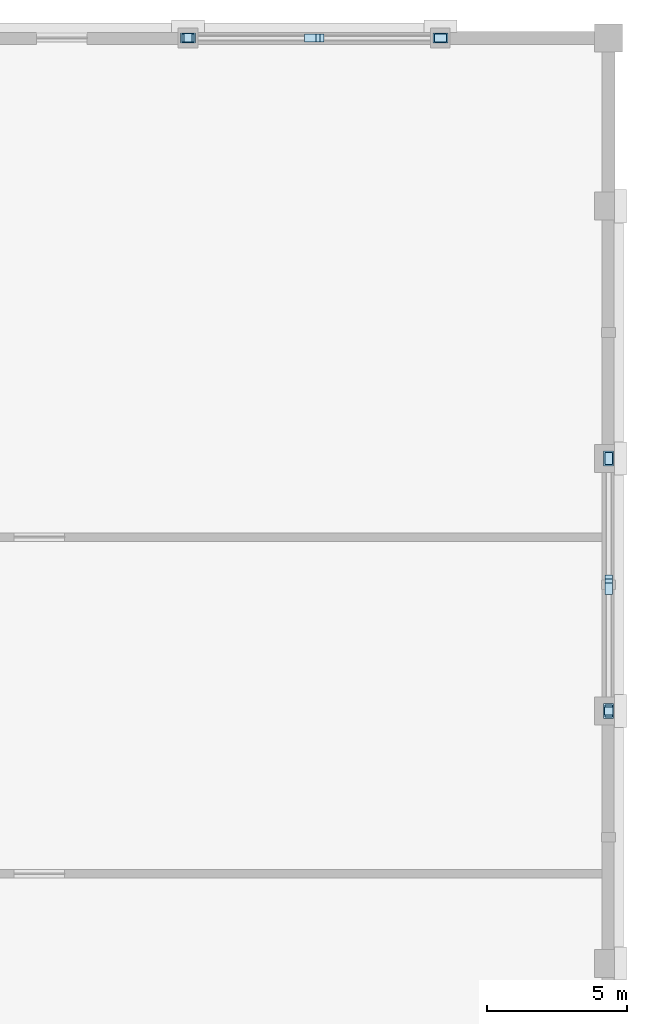
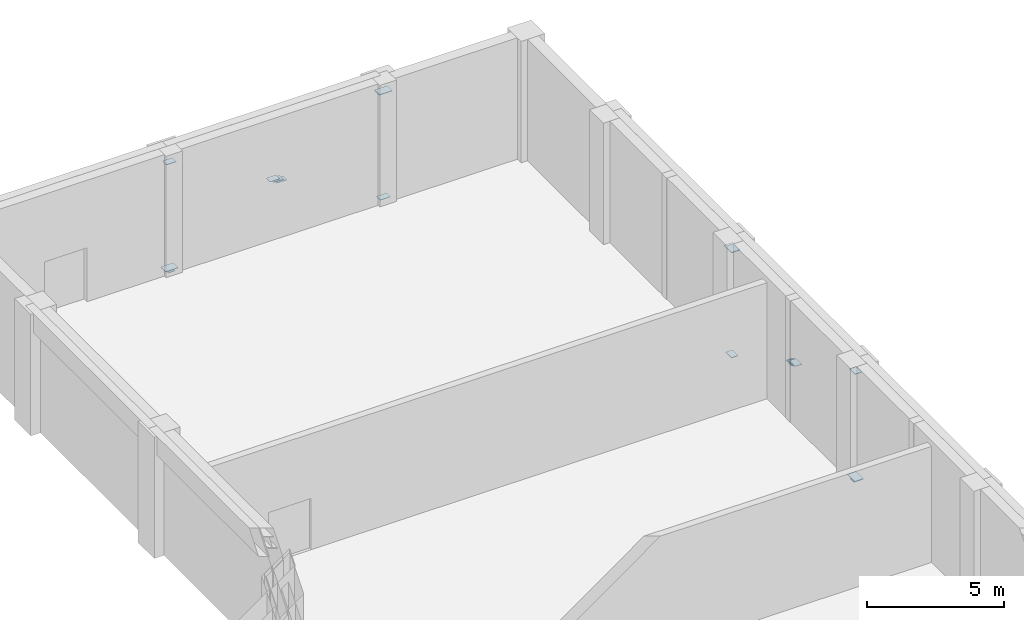
# One storey, part 60 of 77: 16 plates.
"""IFC4 building model written with IfcOpenShell, lengths in metres."""

from ifc_helpers import new_model, si_unit, direction, frame, origin, origin_2d, place, context, subcontext, project, spatial, rectangle, extrude, material, layer, layer_set, type_object, element, save


model = new_model("IFC4")

# Units and contexts
model_context = context("Model", 3, precision=1e-05, world=origin(), true_north=direction((0.0, 1.0)))
body_context = subcontext(model_context, "Body", "Model", "MODEL_VIEW")
ifc_project = project(units=[si_unit("LENGTHUNIT", "METRE"), si_unit("AREAUNIT", "SQUARE_METRE"), si_unit("VOLUMEUNIT", "CUBIC_METRE"), si_unit("PLANEANGLEUNIT", "RADIAN"), si_unit("MASSUNIT", "GRAM", prefix="KILO")], contexts=[model_context])

# Site, building, storey
site_placement = place(None, origin())
site = spatial("IfcSite", under=ifc_project, at=site_placement, CompositionType="ELEMENT")
building_placement = place(site_placement, origin())
building = spatial("IfcBuilding", under=site, at=building_placement, Name="Lykobir Media Centre", CompositionType="ELEMENT")
storey_placement = place(building_placement, origin())
storey = spatial("IfcBuildingStorey", under=building, at=storey_placement, Name="L00", CompositionType="ELEMENT", Elevation=0.0)

# Plates
ifc_material = material(Name="Steel S355", Category="steel")
ifc_layer_1 = layer(ifc_material, 0.01611328125, Name="Steel S355")
ifc_layer_set_1 = layer_set([ifc_layer_1], Name="Steel S355")
plate_type_1 = type_object("IfcPlateType", Name="CP-280", PredefinedType="SHEET", material=ifc_layer_set_1)
for number, where, z_axis, x_axis, name in (
    (1, (168.0, 90.0, 0.001953125), (0.0, 0.0, 1.0), (0.0, 1.0, 0.0), "Structural plate PLT-L00-1680-0900-0000"),
    (2, (153.0, 114.0, 0.001953125), (0.0, 0.0, 1.0), (1.0, 0.0, 0.0), "Structural plate PLT-L00-1530-1140-0000"),
):
    element("IfcPlate", number, at=place(storey_placement, frame(where, z_axis=z_axis, x_axis=x_axis)), inside=storey, type_object=plate_type_1, Name=name, PredefinedType="SHEET", context=body_context, shape_type="SweptSolid", body=[
        extrude(rectangle(XDim=0.300048828125, YDim=0.300048828125, at=origin_2d()), origin(), (0.0, 0.0, 1.0), 0.01611328125),
    ])
ifc_layer_2 = layer(ifc_material, 0.02001953125, Name="Steel S355")
ifc_layer_set_2 = layer_set([ifc_layer_2], Name="Steel S355")
plate_type_2 = type_object("IfcPlateType", Name="GP-420", PredefinedType="USERDEFINED", material=ifc_layer_set_2)
for number, where, z_axis, x_axis, name in (
    (3, (168.0, 94.5, 2.469970703125), (0.0, 0.0, 1.0), (0.0, 1.0, 0.0), "Structural plate PLT-L00-1680-0945-0025"),
    (4, (168.0, 99.0, 0.110107421875), (0.0, 0.0, 1.0), (0.0, 1.0, 0.0), "Structural plate PLT-L00-1680-0990-0001"),
    (5, (168.0, 94.6416015625, 2.395751953125), (0.0, 0.0, 1.0), (0.0, 1.0, 0.0), "Structural plate PLT-L00-1680-0946-0024"),
    (6, (168.0, 94.3583984375, 2.544189453125), (0.0, 0.0, 1.0), (0.0, 1.0, 0.0), "Structural plate PLT-L00-1680-0944-0026"),
    (7, (168.0, 90.0, 4.830078125), (0.0, 0.0, 1.0), (0.0, 1.0, 0.0), "Structural plate PLT-L00-1680-0900-0048"),
    (8, (157.5, 114.0, 2.469970703125), (0.0, 0.0, 1.0), (1.0, 0.0, 0.0), "Structural plate PLT-L00-1575-1140-0025"),
    (9, (162.0, 114.0, 0.110107421875), (0.0, 0.0, 1.0), (1.0, 0.0, 0.0), "Structural plate PLT-L00-1620-1140-0001"),
    (10, (157.6416015625, 114.0, 2.395751953125), (0.0, 0.0, 1.0), (1.0, 0.0, 0.0), "Structural plate PLT-L00-1576-1140-0024"),
    (11, (157.3583984375, 114.0, 2.544189453125), (0.0, 0.0, 1.0), (1.0, 0.0, 0.0), "Structural plate PLT-L00-1574-1140-0026"),
    (12, (153.0, 114.0, 4.830078125), (0.0, 0.0, 1.0), (1.0, 0.0, 0.0), "Structural plate PLT-L00-1530-1140-0048"),
):
    element("IfcPlate", number, at=place(storey_placement, frame(where, z_axis=z_axis, x_axis=x_axis)), inside=storey, type_object=plate_type_2, Name=name, ObjectType="GUSSET_PLATE", PredefinedType="USERDEFINED", context=body_context, shape_type="SweptSolid", body=[
        extrude(rectangle(XDim=0.419921875, YDim=0.280029296875, at=origin_2d()), origin(), (0.0, 0.0, 1.0), 0.02001953125),
    ])
ifc_layer_3 = layer(ifc_material, 0.028076171875, Name="Steel S355")
ifc_layer_set_3 = layer_set([ifc_layer_3], Name="Steel S355")
plate_type_3 = type_object("IfcPlateType", Name="GP-540", PredefinedType="USERDEFINED", material=ifc_layer_set_3)
for number, where, z_axis, x_axis, name in (
    (13, (168.0, 90.0, 0.10595703125), (0.0, 0.0, 1.0), (0.0, 1.0, 0.0), "Structural plate PLT-L00-1680-0900-0001"),
    (14, (168.0, 99.0, 4.826171875), (0.0, 0.0, 1.0), (0.0, 1.0, 0.0), "Structural plate PLT-L00-1680-0990-0048"),
    (15, (153.0, 114.0, 0.10595703125), (0.0, 0.0, 1.0), (1.0, 0.0, 0.0), "Structural plate PLT-L00-1530-1140-0001"),
    (16, (162.0, 114.0, 4.826171875), (0.0, 0.0, 1.0), (1.0, 0.0, 0.0), "Structural plate PLT-L00-1620-1140-0048"),
):
    element("IfcPlate", number, at=place(storey_placement, frame(where, z_axis=z_axis, x_axis=x_axis)), inside=storey, type_object=plate_type_3, Name=name, ObjectType="GUSSET_PLATE", PredefinedType="USERDEFINED", context=body_context, shape_type="SweptSolid", body=[
        extrude(rectangle(XDim=0.5400390625, YDim=0.360107421875, at=origin_2d()), origin(), (0.0, 0.0, 1.0), 0.028076171875),
    ])

save(model, "model.ifc")
